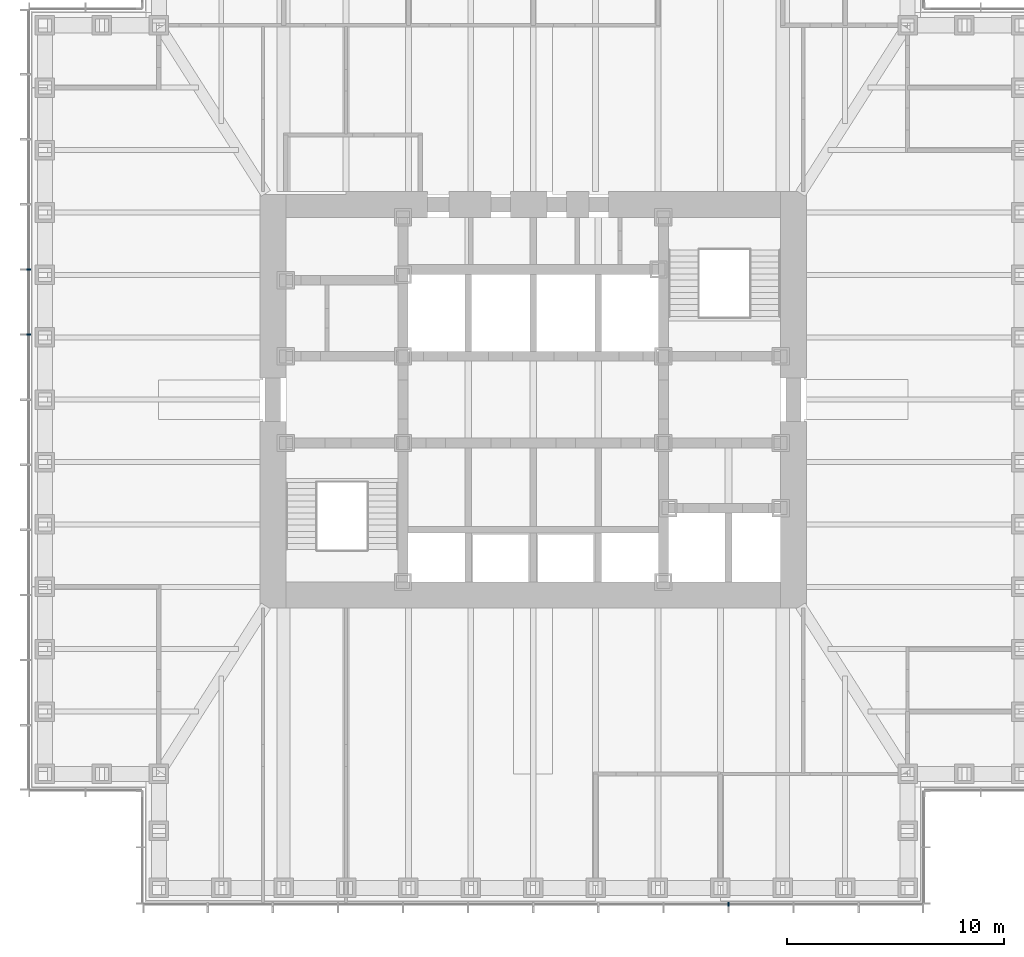
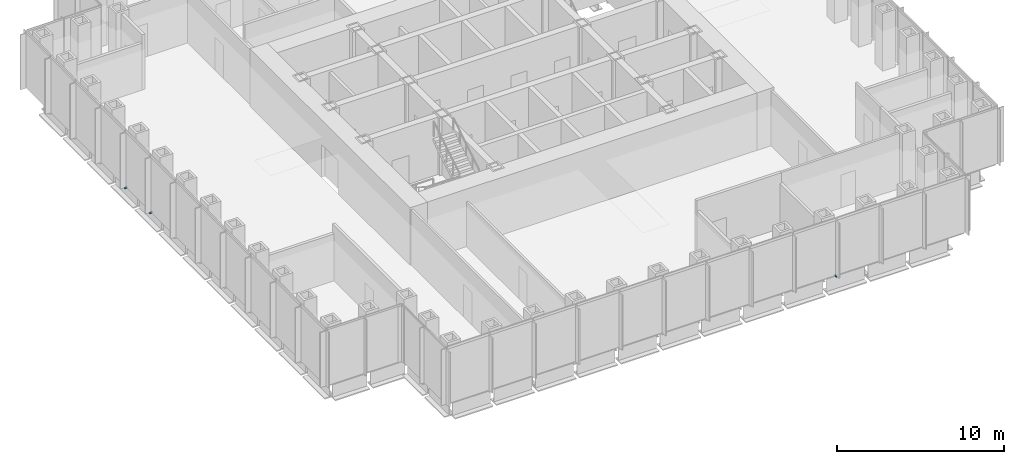
# One storey, part 13 of 17: 3 discrete accessories.
"""IFC4 building model written with IfcOpenShell, lengths in metres."""

from ifc_helpers import new_model, si_unit, direction, frame, origin, origin_2d, place, context, subcontext, project, spatial, rectangle, extrude, element, save


model = new_model("IFC4")

# Units and contexts
model_context = context("Model", 3, precision=1e-05, world=origin(), true_north=direction((0.0, 1.0)))
body_context = subcontext(model_context, "Body", "Model", "MODEL_VIEW")
ifc_project = project(units=[si_unit("LENGTHUNIT", "METRE"), si_unit("AREAUNIT", "SQUARE_METRE"), si_unit("VOLUMEUNIT", "CUBIC_METRE"), si_unit("PLANEANGLEUNIT", "RADIAN"), si_unit("MASSUNIT", "GRAM", prefix="KILO")], contexts=[model_context])

# Site, building, storey
site_placement = place(None, origin())
site = spatial("IfcSite", under=ifc_project, at=site_placement, CompositionType="ELEMENT")
building_placement = place(site_placement, origin())
building = spatial("IfcBuilding", under=site, at=building_placement, Name="Daluyong Arena Tower", CompositionType="ELEMENT")
storey_placement = place(building_placement, frame((0.0, 0.0, 124.89990234375)))
storey = spatial("IfcBuildingStorey", under=building, at=storey_placement, Name="L27", CompositionType="ELEMENT", Elevation=124.89990234375)

# Discrete accessories
for number, where, z_axis, x_axis, name in (
    (1, (65.0, 56.75, -0.099853515625), (0.0, 0.0, 1.0), (1.0, 0.0, 0.0), "curtain wall L27 S anchor bracket 10"),
    (2, (32.75, 86.0, -0.099853515625), (0.0, 0.0, 1.0), (0.0, -1.0, 0.0), "curtain wall L27 W anchor bracket 5"),
    (3, (32.75, 83.0, -0.099853515625), (0.0, 0.0, 1.0), (0.0, -1.0, 0.0), "curtain wall L27 W anchor bracket 6"),
):
    element("IfcDiscreteAccessory", number, at=place(storey_placement, frame(where, z_axis=z_axis, x_axis=x_axis)), inside=storey, Name=name, PredefinedType="BRACKET", context=body_context, shape_type="SweptSolid", body=[
        extrude(rectangle(XDim=0.080078125, YDim=0.199951171875, at=origin_2d()), origin(), (0.0, 0.0, 1.0), 0.10009765625),
    ])

save(model, "model.ifc")
